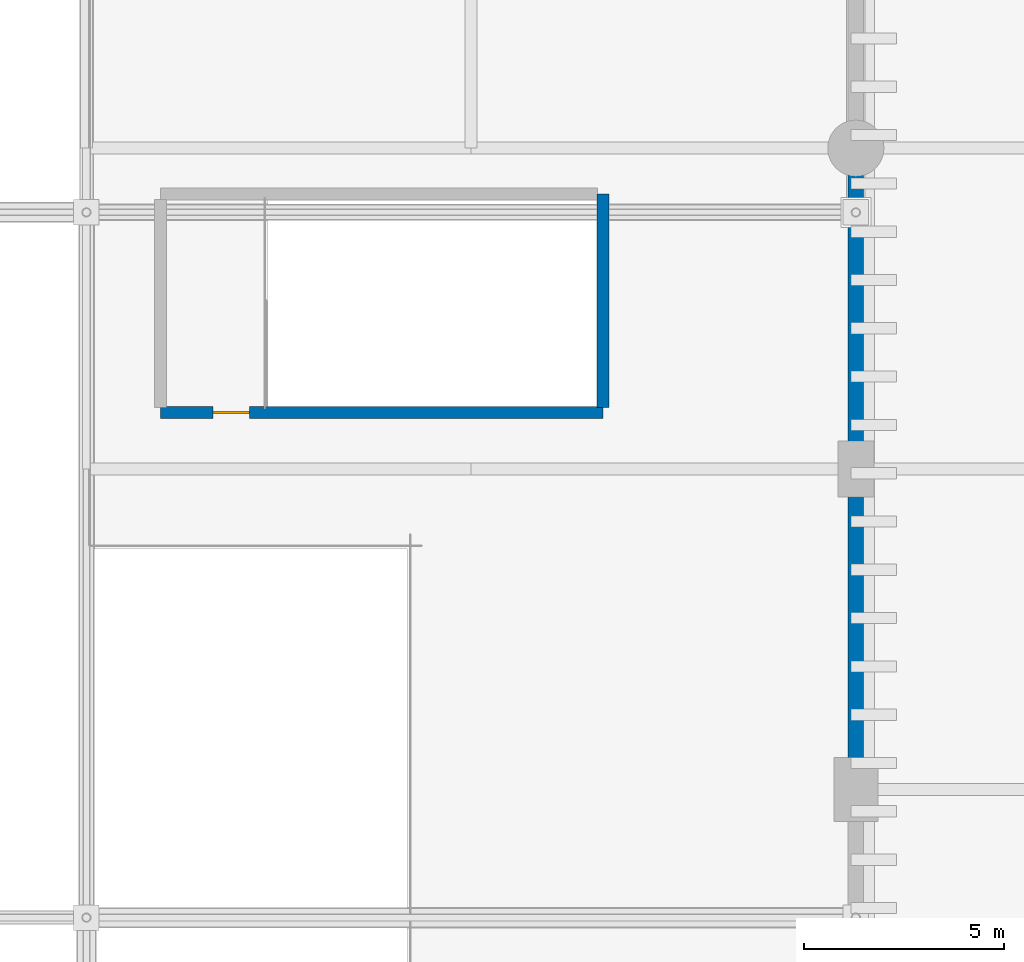
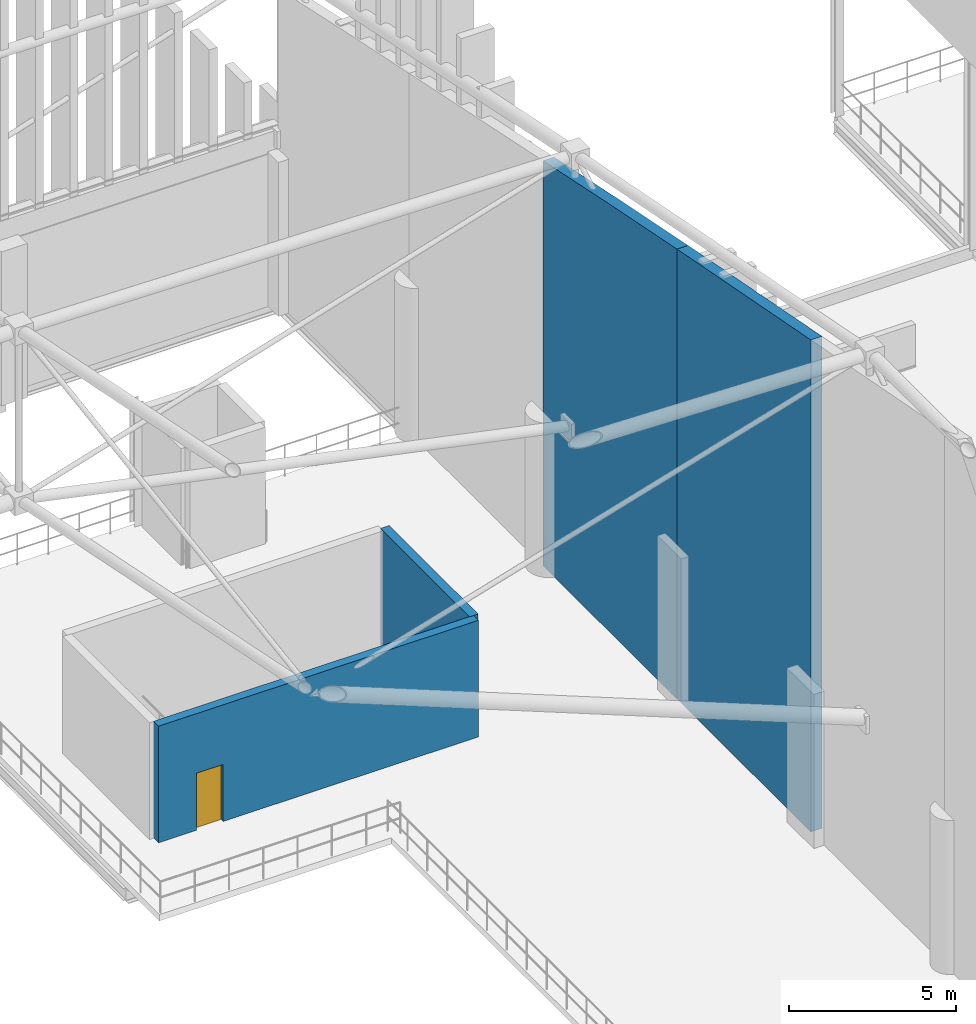
# One storey, part 154 of 193: 4 walls, 1 door, 1 opening.
"""IFC4 building model written with IfcOpenShell, lengths in metres."""

from ifc_helpers import new_model, si_unit, direction, frame, frame_2d, origin, place, context, subcontext, project, spatial, polyline, rectangle, outline, extrude, material, layer, layer_set, type_object, element, fill, save


model = new_model("IFC4")

# Units and contexts
model_context = context("Model", 3, precision=1e-05, world=origin(), true_north=direction((0.0, 1.0)))
body_context = subcontext(model_context, "Body", "Model", "MODEL_VIEW")
ifc_project = project(units=[si_unit("LENGTHUNIT", "METRE"), si_unit("AREAUNIT", "SQUARE_METRE"), si_unit("VOLUMEUNIT", "CUBIC_METRE"), si_unit("PLANEANGLEUNIT", "RADIAN"), si_unit("MASSUNIT", "GRAM", prefix="KILO")], contexts=[model_context])

# Site, building, storey
site_placement = place(None, origin())
site = spatial("IfcSite", under=ifc_project, at=site_placement, CompositionType="ELEMENT")
building_placement = place(site_placement, origin())
building = spatial("IfcBuilding", under=site, at=building_placement, Name="Danafjord Basin Convention Centre", CompositionType="ELEMENT")
storey_placement = place(building_placement, frame((0.0, 0.0, 11.39990234375)))
storey = spatial("IfcBuildingStorey", under=building, at=storey_placement, Name="L02", CompositionType="ELEMENT", Elevation=11.39990234375)

# Wall, opening, door
ifc_material_1 = material(Name="Concrete C40/50", Category="concrete")
ifc_layer_1 = layer(ifc_material_1, 0.300048828125)
ifc_layer_set_1 = layer_set([ifc_layer_1], Name="Concrete C40/50")
wall_type_1 = type_object("IfcWallType", Name="WALL-CW-CORE300", PredefinedType="SHEAR", material=ifc_layer_set_1)
wall_1_placement = place(storey_placement, frame((97.85009765625, 121.39990234375, 0.0), z_axis=(0.0, 0.0, 1.0), x_axis=(1.0, 0.0, 0.0)))
wall_1 = element("IfcWall", 1, at=wall_1_placement, inside=storey, type_object=wall_type_1, Name="North Exhibition Core Stair 1 core shear wall (south)", PredefinedType="SHEAR", context=body_context, shape_type="SweptSolid", body=[
    extrude(rectangle(XDim=11.039794921875, YDim=0.300048828125, at=frame_2d((5.52001953125, 0.0))), origin(), (0.0, 0.0, 1.0), 4.255126953125),
])
opening_placement = place(wall_1_placement, frame((1.31201171875, 0.0, 0.0)))
opening = element("IfcOpeningElement", 2, at=opening_placement, cuts=wall_1, Name="Opening FD-S01", PredefinedType="OPENING", context=body_context, shape_type="SweptSolid", body=[
    extrude(rectangle(XDim=0.909912109375, YDim=2.080078125, at=frame_2d((0.455078125, 1.0400390625))), frame((0.0, 0.159912109375, 0.0), z_axis=(0.0, -1.0, 0.0), x_axis=(1.0, 0.0, 0.0)), (0.0, 0.0, 1.0), 0.320068359375),
])
ifc_material_2 = material(Name="Powder-coated steel and Nordic oak", Category="steel")
door_type = type_object("IfcDoorType", Name="DOOR-FD-S01", OperationType="NOTDEFINED", PredefinedType="DOOR", material=ifc_material_2)
door_placement = place(opening_placement, origin())
door = element("IfcDoor", 3, at=door_placement, inside=storey, type_object=door_type, Name="North Exhibition Core Stair 1 L02 Fire Exit Door", OperationType="SINGLE_SWING_LEFT", OverallHeight=2.080078125, OverallWidth=0.909912109375, PredefinedType="DOOR", context=body_context, shape_type="SweptSolid", body=[
    extrude(rectangle(XDim=0.909912109375, YDim=2.080078125, at=frame_2d((0.455078125, 1.0400390625))), frame((0.0, 0.02490234375, 0.0), z_axis=(0.0, -1.0, 0.0), x_axis=(1.0, 0.0, 0.0)), (0.0, 0.0, 1.0), 0.050048828125),
])
fill(opening, door)

# Walls
wall_2_placement = place(storey_placement, frame((108.889892578125, 121.534912109375, 0.0), z_axis=(0.0, 0.0, 1.0), x_axis=(0.0, 1.0, 0.0)))
element("IfcWall", 4, at=wall_2_placement, inside=storey, type_object=wall_type_1, Name="North Exhibition Core Stair 1 core shear wall (east)", PredefinedType="SHEAR", context=body_context, shape_type="SweptSolid", body=[
    extrude(rectangle(XDim=5.3251953125, YDim=0.300048828125, at=frame_2d((2.66259765625, 0.0))), origin(), (0.0, 0.0, 1.0), 4.255126953125),
])
ifc_material_3 = material(Name="Precast concrete C45/55", Category="concrete")
ifc_layer_2 = layer(ifc_material_3, 0.3798828125)
ifc_layer_set_2 = layer_set([ifc_layer_2], Name="Precast concrete C45/55")
wall_type_2 = type_object("IfcWallType", Name="WALL-EW-PC380", PredefinedType="SOLIDWALL", material=ifc_layer_set_2)
wall_3_placement = place(storey_placement, frame((115.199951171875, 112.0, 0.0), z_axis=(0.0, 0.0, 1.0), x_axis=(0.0, 1.0, 0.0)))
element("IfcWall", 5, at=wall_3_placement, inside=storey, type_object=wall_type_2, Name="Wave-crested architectural precast gable wall E-8", PredefinedType="SOLIDWALL", context=body_context, shape_type="SweptSolid", body=[
    extrude(outline(polyline([(0.0, 0.0), (8.0, 0.0), (8.0, 16.41015625), (4.0, 17.177978515625), (0.0, 17.946044921875), (0.0, 0.0)])), frame((0.0, 0.18994140625, 0.0), z_axis=(0.0, -1.0, 0.0), x_axis=(1.0, 0.0, 0.0)), (0.0, 0.0, 1.0), 0.3798828125),
])
wall_4_placement = place(storey_placement, frame((115.199951171875, 120.0, 0.0), z_axis=(0.0, 0.0, 1.0), x_axis=(0.0, 1.0, 0.0)))
element("IfcWall", 6, at=wall_4_placement, inside=storey, type_object=wall_type_2, Name="Wave-crested architectural precast gable wall E-9", PredefinedType="SOLIDWALL", context=body_context, shape_type="SweptSolid", body=[
    extrude(outline(polyline([(0.0, 0.0), (8.0, 0.0), (8.0, 14.778076171875), (4.0, 15.610107421875), (0.0, 16.41015625), (0.0, 0.0)])), frame((0.0, 0.18994140625, 0.0), z_axis=(0.0, -1.0, 0.0), x_axis=(1.0, 0.0, 0.0)), (0.0, 0.0, 1.0), 0.3798828125),
])

save(model, "model.ifc")
